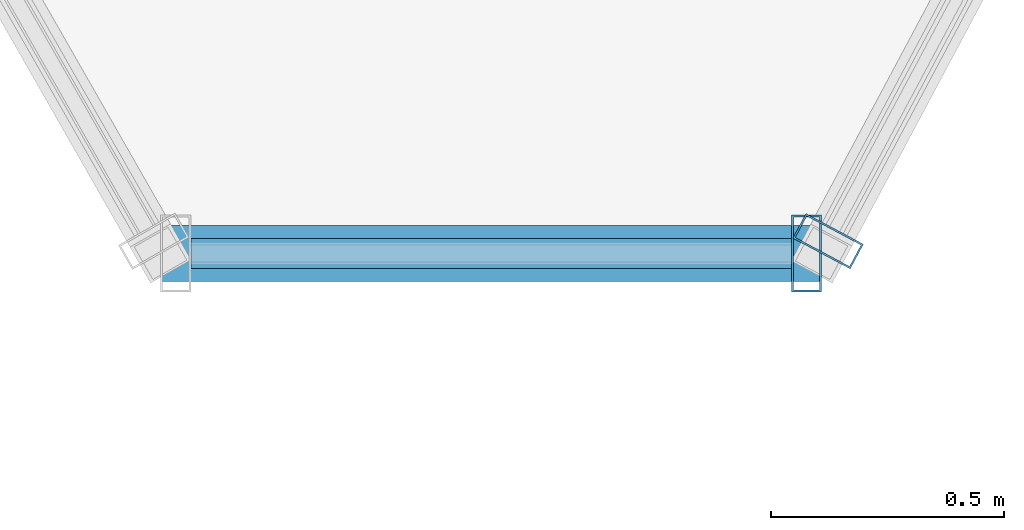
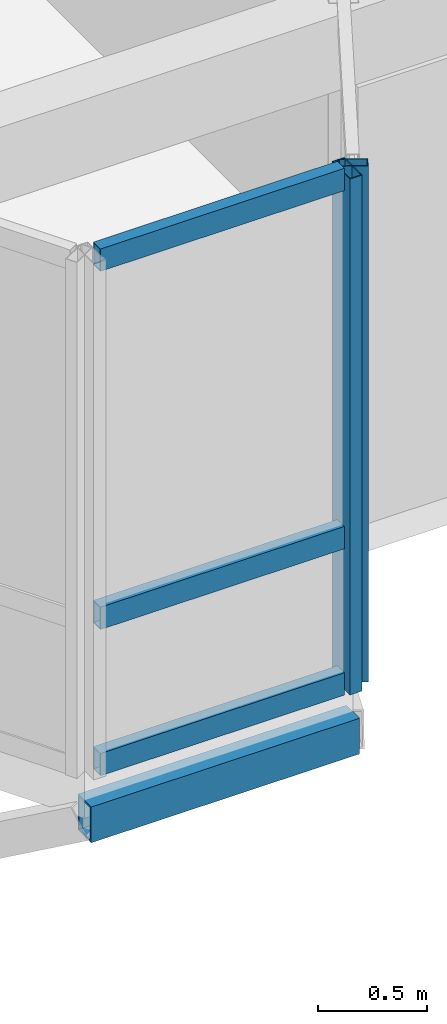
# One storey, part 33 of 75: 6 members, 2 elements without a shape of their own.
"""IFC4 building model written with IfcOpenShell, lengths in metres."""

from ifc_helpers import new_model, si_unit, direction, frame, origin, origin_2d, place, context, subcontext, project, spatial, hollow_rectangle, extrude, material, layer, layer_set, material_profile, profile_set, type_object, element, aggregate, save


model = new_model("IFC4")

# Units and contexts
model_context = context("Model", 3, precision=1e-05, world=origin(), true_north=direction((0.0, 1.0)))
body_context = subcontext(model_context, "Body", "Model", "MODEL_VIEW")
ifc_project = project(units=[si_unit("LENGTHUNIT", "METRE"), si_unit("AREAUNIT", "SQUARE_METRE"), si_unit("VOLUMEUNIT", "CUBIC_METRE"), si_unit("PLANEANGLEUNIT", "RADIAN"), si_unit("MASSUNIT", "GRAM", prefix="KILO"), si_unit("THERMODYNAMICTEMPERATUREUNIT", "KELVIN"), si_unit("POWERUNIT", "WATT")], contexts=[model_context])

# Site, building, storey
site_placement = place(None, origin())
site = spatial("IfcSite", under=ifc_project, at=site_placement, CompositionType="ELEMENT")
building_placement = place(site_placement, origin())
building = spatial("IfcBuilding", under=site, at=building_placement, Name="Tavuni Mirador Residences", CompositionType="ELEMENT")
storey_placement = place(building_placement, frame((0.0, 0.0, 20.25)))
storey = spatial("IfcBuildingStorey", under=building, at=storey_placement, Name="L06", CompositionType="ELEMENT", Elevation=20.25)

# Curtain wall, member
ifc_material_1 = material(Name="Anodised aluminium", Category="aluminium")
ifc_layer_1 = layer(ifc_material_1, 0.1650390625, Name="Anodised aluminium", Category="aluminium")
ifc_layer_set_1 = layer_set([ifc_layer_1], Name="Anodised aluminium")
curtain_wall_type_1 = type_object("IfcCurtainWallType", Name="CWT-MIR-A", PredefinedType="NOTDEFINED", material=ifc_layer_set_1)
curtain_wall_1_placement = place(storey_placement, origin())
curtain_wall_1 = element("IfcCurtainWall", 1, at=curtain_wall_1_placement, inside=storey, type_object=curtain_wall_type_1, Name="CW-MIR-C-S3-L06-M2", PredefinedType="NOTDEFINED")
ifc_material_profile_1 = material_profile(ifc_material_1, hollow_rectangle(XDim=0.06005859375, YDim=0.139892578125, WallThickness=0.00390625, at=origin_2d()), Name="ALU 60x140x4.0", Category="aluminium")
ifc_profile_set_1 = profile_set([ifc_material_profile_1], Name="Anodised aluminium")
member_type_1 = type_object("IfcMemberType", Name="CWM-140", PredefinedType="MULLION", material=ifc_profile_set_1)
member_1_placement = place(storey_placement, frame((49.194091796875, 142.826416015625, 0.0), z_axis=(0.0, 0.0, 1.0), x_axis=(0.470588235296, 0.882352941175, 0.0)))
member_1 = element("IfcMember", 2, at=member_1_placement, type_object=member_type_1, Name="CW-01 mullion 1", PredefinedType="MULLION", context=body_context, shape_type="SweptSolid", body=[
    extrude(hollow_rectangle(XDim=0.06005859375, YDim=0.139892578125, WallThickness=0.00390625, at=origin_2d()), origin(), (0.0, 0.0, 1.0), 2.885009765625),
])
aggregate(curtain_wall_1, [member_1])

# Curtain wall, members
ifc_layer_2 = layer(ifc_material_1, 0.159912109375, Name="Anodised aluminium", Category="aluminium")
ifc_layer_set_2 = layer_set([ifc_layer_2], Name="Anodised aluminium")
curtain_wall_type_2 = type_object("IfcCurtainWallType", Name="CWT-MIR-D", PredefinedType="NOTDEFINED", material=ifc_layer_set_2)
curtain_wall_2_placement = place(storey_placement, origin())
curtain_wall_2 = element("IfcCurtainWall", 3, at=curtain_wall_2_placement, inside=storey, type_object=curtain_wall_type_2, Name="CW-MIR-C-S3-L06-MF", PredefinedType="NOTDEFINED")
ifc_material_profile_2 = material_profile(ifc_material_1, hollow_rectangle(XDim=0.06494140625, YDim=0.1650390625, WallThickness=0.00439453125, at=origin_2d()), Name="ALU 65x165x4.5", Category="aluminium")
ifc_profile_set_2 = profile_set([ifc_material_profile_2], Name="Anodised aluminium")
member_type_2 = type_object("IfcMemberType", Name="CWM-165", PredefinedType="MULLION", material=ifc_profile_set_2)
member_2_placement = place(storey_placement, frame((49.1474609375, 142.800048828125, 0.0), z_axis=(0.0, 0.0, 1.0), x_axis=(1.0, 0.0, 0.0)))
member_2 = element("IfcMember", 4, at=member_2_placement, type_object=member_type_2, Name="CW-04 mullion 2", PredefinedType="MULLION", context=body_context, shape_type="SweptSolid", body=[
    extrude(hollow_rectangle(XDim=0.06494140625, YDim=0.1650390625, WallThickness=0.00439453125, at=origin_2d()), origin(), (0.0, 0.0, 1.0), 2.885009765625),
])
ifc_material_profile_3 = material_profile(ifc_material_1, hollow_rectangle(XDim=0.06494140625, YDim=0.125, WallThickness=0.00439453125, at=origin_2d()), Name="ALU 65x125x4.5", Category="aluminium")
ifc_profile_set_3 = profile_set([ifc_material_profile_3], Name="Anodised aluminium")
member_type_3 = type_object("IfcMemberType", Name="CWT-125", PredefinedType="USERDEFINED", material=ifc_profile_set_3)
member_3_placement = place(storey_placement, frame((47.824951171875, 142.800048828125, 0.032470703125), z_axis=(1.0, 0.0, 0.0), x_axis=(0.0, 1.0, 0.0)))
member_3 = element("IfcMember", 5, at=member_3_placement, type_object=member_type_3, Name="CW-04 transom 1.1", ObjectType="TRANSOM", PredefinedType="USERDEFINED", context=body_context, shape_type="SweptSolid", body=[
    extrude(hollow_rectangle(XDim=0.06494140625, YDim=0.125, WallThickness=0.00439453125, at=origin_2d()), origin(), (0.0, 0.0, 1.0), 1.2900390625),
])
member_4_placement = place(storey_placement, frame((47.824951171875, 142.800048828125, 0.85009765625), z_axis=(1.0, 0.0, 0.0), x_axis=(0.0, 1.0, 0.0)))
member_4 = element("IfcMember", 6, at=member_4_placement, type_object=member_type_3, Name="CW-04 transom 1.2", ObjectType="TRANSOM", PredefinedType="USERDEFINED", context=body_context, shape_type="SweptSolid", body=[
    extrude(hollow_rectangle(XDim=0.06494140625, YDim=0.125, WallThickness=0.00439453125, at=origin_2d()), origin(), (0.0, 0.0, 1.0), 1.2900390625),
])
member_5_placement = place(storey_placement, frame((47.824951171875, 142.800048828125, 2.8525390625), z_axis=(1.0, 0.0, 0.0), x_axis=(0.0, 1.0, 0.0)))
member_5 = element("IfcMember", 7, at=member_5_placement, type_object=member_type_3, Name="CW-04 transom 1.3", ObjectType="TRANSOM", PredefinedType="USERDEFINED", context=body_context, shape_type="SweptSolid", body=[
    extrude(hollow_rectangle(XDim=0.06494140625, YDim=0.125, WallThickness=0.00439453125, at=origin_2d()), origin(), (0.0, 0.0, 1.0), 1.2900390625),
])
aggregate(curtain_wall_2, [member_2, member_3, member_4, member_5])

# Member
ifc_material_2 = material(Name="Structural steel S355", Category="steel")
ifc_material_profile_4 = material_profile(ifc_material_2, hollow_rectangle(XDim=0.1201171875, YDim=0.199951171875, WallThickness=0.010009765625, at=origin_2d()), Name="RHS 200x120x10.0", Category="steel")
ifc_profile_set_4 = profile_set([ifc_material_profile_4], Name="Structural steel S355")
member_type_4 = type_object("IfcMemberType", Name="MT-ST-RHS200", PredefinedType="STRUT", material=ifc_profile_set_4)
member_6_placement = place(storey_placement, frame((47.760009765625, 142.800048828125, -0.264892578125), z_axis=(1.0, 0.0, 0.0), x_axis=(0.0, 1.0, 0.0)))
element("IfcMember", 8, at=member_6_placement, inside=storey, type_object=member_type_4, Name="MRIM-MIR-C-S3-L06", PredefinedType="STRUT", context=body_context, shape_type="SweptSolid", body=[
    extrude(hollow_rectangle(XDim=0.1201171875, YDim=0.199951171875, WallThickness=0.010009765625, at=origin_2d()), origin(), (0.0, 0.0, 1.0), 1.419921875),
])

save(model, "model.ifc")
